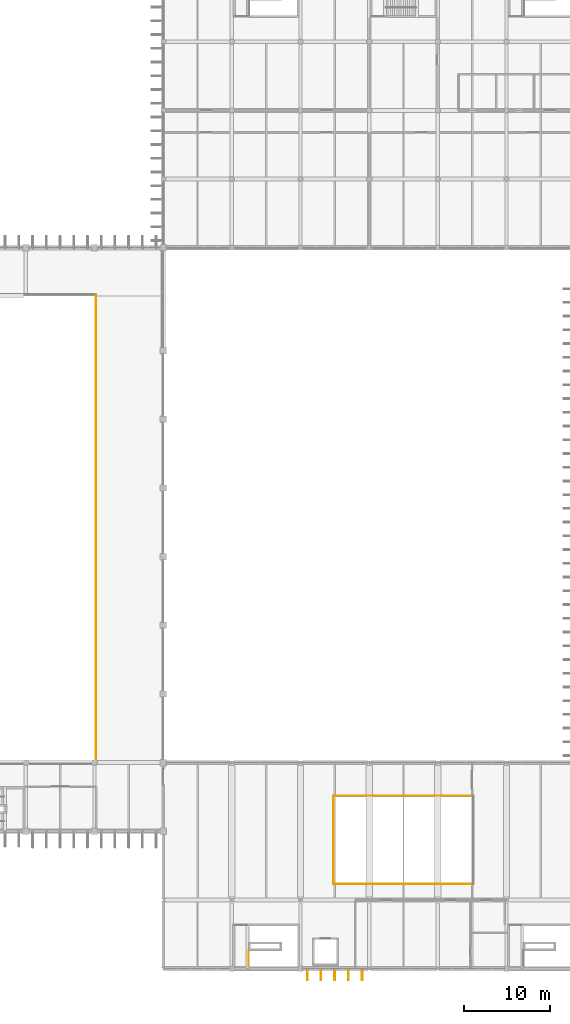
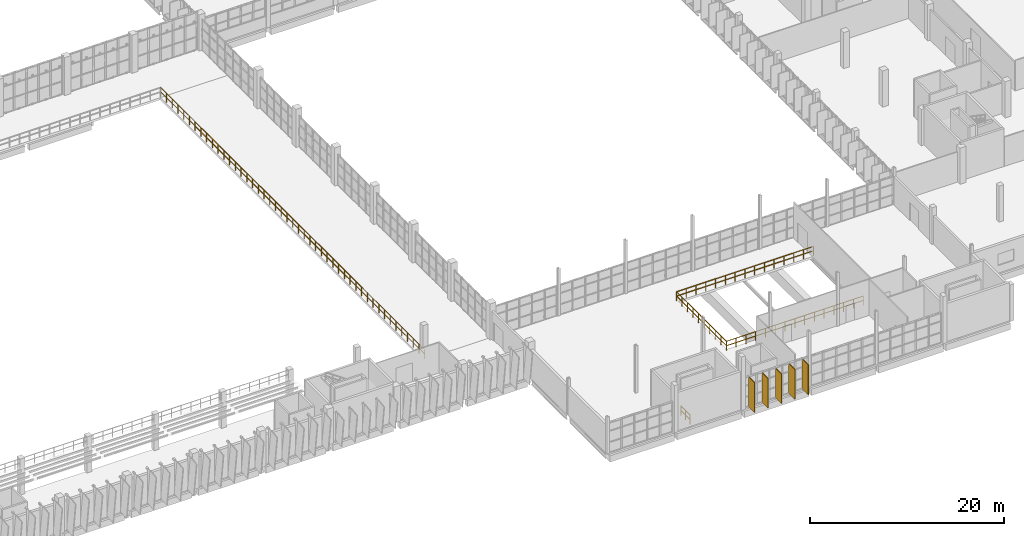
# One storey, part 88 of 93: 5 coverings, 5 railings, 5 shading devices.
"""IFC4 building model written with IfcOpenShell, lengths in metres."""

from ifc_helpers import new_model, si_unit, direction, frame, origin, origin_2d, place, context, subcontext, project, spatial, rectangle, circle, extrude, material, type_object, element, save


model = new_model("IFC4")

# Units and contexts
model_context = context("Model", 3, precision=1e-05, world=origin(), true_north=direction((0.0, 1.0)))
body_context = subcontext(model_context, "Body", "Model", "MODEL_VIEW")
ifc_project = project(units=[si_unit("LENGTHUNIT", "METRE"), si_unit("AREAUNIT", "SQUARE_METRE"), si_unit("VOLUMEUNIT", "CUBIC_METRE"), si_unit("PLANEANGLEUNIT", "RADIAN"), si_unit("MASSUNIT", "GRAM", prefix="KILO")], contexts=[model_context])

# Site, building, storey
site_placement = place(None, origin())
site = spatial("IfcSite", under=ifc_project, at=site_placement, CompositionType="ELEMENT")
building_placement = place(site_placement, origin())
building = spatial("IfcBuilding", under=site, at=building_placement, Name="Drelvana Railside Aquatics Centre", CompositionType="ELEMENT")
storey_placement = place(building_placement, frame((0.0, 0.0, 5.39990234375)))
storey = spatial("IfcBuildingStorey", under=building, at=storey_placement, Name="L01", CompositionType="ELEMENT", Elevation=5.39990234375)

# Coverings
ifc_material_1 = material(Name="Bronze-anodised extruded aluminium 6063-T6", Category="aluminium")
covering_type = type_object("IfcCoveringType", Name="COV-FIN-ALU", PredefinedType="CLADDING", material=ifc_material_1)
for number, where, z_axis, x_axis, name in (
    (1, (112.800048828125, -0.675048828125, 0.0), (0.0, 0.0, 1.0), (-1.0, 0.0, 0.0), "Vertical aluminium fin cladding CF-0461"),
    (2, (114.39990234375, -0.675048828125, 0.0), (0.0, 0.0, 1.0), (-1.0, 0.0, 0.0), "Vertical aluminium fin cladding CF-0462"),
    (3, (116.0, -0.675048828125, 0.0), (0.0, 0.0, 1.0), (-1.0, 0.0, 0.0), "Vertical aluminium fin cladding CF-0463"),
    (4, (117.60009765625, -0.675048828125, 0.0), (0.0, 0.0, 1.0), (-1.0, 0.0, 0.0), "Vertical aluminium fin cladding CF-0464"),
    (5, (119.199951171875, -0.675048828125, 0.0), (0.0, 0.0, 1.0), (-1.0, 0.0, 0.0), "Vertical aluminium fin cladding CF-0465"),
):
    element("IfcCovering", number, at=place(storey_placement, frame(where, z_axis=z_axis, x_axis=x_axis)), inside=storey, type_object=covering_type, Name=name, PredefinedType="CLADDING", context=body_context, shape_type="SweptSolid", body=[
        extrude(rectangle(XDim=0.0849609375, YDim=1.25, at=origin_2d()), origin(), (0.0, 0.0, 1.0), 3.75),
    ])

# Railings
ifc_material_2 = material(Name="Laminated glass and bronze-stainless gallery balustrade", Category="glass")
railing_type_1 = type_object("IfcRailingType", Name="RAL-GALLERY-1150", PredefinedType="BALUSTRADE", material=ifc_material_2)
railing_1_placement = place(storey_placement, frame((88.14990234375, 24.10009765625, 0.0)))
element("IfcRailing", 6, at=railing_1_placement, inside=storey, type_object=railing_type_1, Name="Gallery balustrade 2 (L01)", PredefinedType="BALUSTRADE", context=body_context, shape_type="SweptSolid", body=[
    extrude(circle(Radius=0.02392578125, at=origin_2d()), frame((0.0, 0.0, 1.1259765625), z_axis=(0.0, 1.0, 0.0), x_axis=(-1.0, 0.0, 0.0)), (0.0, 0.0, 1.0), 54.449951171875),
    extrude(circle(Radius=0.02392578125, at=origin_2d()), frame((0.0, 0.0, 0.574951171875), z_axis=(0.0, 1.0, 0.0), x_axis=(-1.0, 0.0, 0.0)), (0.0, 0.0, 1.0), 54.449951171875),
    extrude(circle(Radius=0.02099609375, at=origin_2d()), origin(), (0.0, 0.0, 1.0), 1.101806640625),
    extrude(circle(Radius=0.02099609375, at=origin_2d()), frame((0.0, 1.18359375, 0.0)), (0.0, 0.0, 1.0), 1.101806640625),
    extrude(circle(Radius=0.02099609375, at=origin_2d()), frame((0.0, 2.367431640625, 0.0)), (0.0, 0.0, 1.0), 1.101806640625),
    extrude(circle(Radius=0.02099609375, at=origin_2d()), frame((0.0, 3.551025390625, 0.0)), (0.0, 0.0, 1.0), 1.101806640625),
    extrude(circle(Radius=0.02099609375, at=origin_2d()), frame((0.0, 4.73486328125, 0.0)), (0.0, 0.0, 1.0), 1.101806640625),
    extrude(circle(Radius=0.02099609375, at=origin_2d()), frame((0.0, 5.91845703125, 0.0)), (0.0, 0.0, 1.0), 1.101806640625),
    extrude(circle(Radius=0.02099609375, at=origin_2d()), frame((0.0, 7.10205078125, 0.0)), (0.0, 0.0, 1.0), 1.101806640625),
    extrude(circle(Radius=0.02099609375, at=origin_2d()), frame((0.0, 8.285888671875, 0.0)), (0.0, 0.0, 1.0), 1.101806640625),
    extrude(circle(Radius=0.02099609375, at=origin_2d()), frame((0.0, 9.469482421875, 0.0)), (0.0, 0.0, 1.0), 1.101806640625),
    extrude(circle(Radius=0.02099609375, at=origin_2d()), frame((0.0, 10.6533203125, 0.0)), (0.0, 0.0, 1.0), 1.101806640625),
    extrude(circle(Radius=0.02099609375, at=origin_2d()), frame((0.0, 11.8369140625, 0.0)), (0.0, 0.0, 1.0), 1.101806640625),
    extrude(circle(Radius=0.02099609375, at=origin_2d()), frame((0.0, 13.020751953125, 0.0)), (0.0, 0.0, 1.0), 1.101806640625),
    extrude(circle(Radius=0.02099609375, at=origin_2d()), frame((0.0, 14.204345703125, 0.0)), (0.0, 0.0, 1.0), 1.101806640625),
    extrude(circle(Radius=0.02099609375, at=origin_2d()), frame((0.0, 15.387939453125, 0.0)), (0.0, 0.0, 1.0), 1.101806640625),
    extrude(circle(Radius=0.02099609375, at=origin_2d()), frame((0.0, 16.57177734375, 0.0)), (0.0, 0.0, 1.0), 1.101806640625),
    extrude(circle(Radius=0.02099609375, at=origin_2d()), frame((0.0, 17.75537109375, 0.0)), (0.0, 0.0, 1.0), 1.101806640625),
    extrude(circle(Radius=0.02099609375, at=origin_2d()), frame((0.0, 18.939208984375, 0.0)), (0.0, 0.0, 1.0), 1.101806640625),
    extrude(circle(Radius=0.02099609375, at=origin_2d()), frame((0.0, 20.122802734375, 0.0)), (0.0, 0.0, 1.0), 1.101806640625),
    extrude(circle(Radius=0.02099609375, at=origin_2d()), frame((0.0, 21.306396484375, 0.0)), (0.0, 0.0, 1.0), 1.101806640625),
    extrude(circle(Radius=0.02099609375, at=origin_2d()), frame((0.0, 22.490234375, 0.0)), (0.0, 0.0, 1.0), 1.101806640625),
    extrude(circle(Radius=0.02099609375, at=origin_2d()), frame((0.0, 23.673828125, 0.0)), (0.0, 0.0, 1.0), 1.101806640625),
    extrude(circle(Radius=0.02099609375, at=origin_2d()), frame((0.0, 24.857666015625, 0.0)), (0.0, 0.0, 1.0), 1.101806640625),
    extrude(circle(Radius=0.02099609375, at=origin_2d()), frame((0.0, 26.041259765625, 0.0)), (0.0, 0.0, 1.0), 1.101806640625),
    extrude(circle(Radius=0.02099609375, at=origin_2d()), frame((0.0, 27.22509765625, 0.0)), (0.0, 0.0, 1.0), 1.101806640625),
    extrude(circle(Radius=0.02099609375, at=origin_2d()), frame((0.0, 28.40869140625, 0.0)), (0.0, 0.0, 1.0), 1.101806640625),
    extrude(circle(Radius=0.02099609375, at=origin_2d()), frame((0.0, 29.59228515625, 0.0)), (0.0, 0.0, 1.0), 1.101806640625),
    extrude(circle(Radius=0.02099609375, at=origin_2d()), frame((0.0, 30.776123046875, 0.0)), (0.0, 0.0, 1.0), 1.101806640625),
    extrude(circle(Radius=0.02099609375, at=origin_2d()), frame((0.0, 31.959716796875, 0.0)), (0.0, 0.0, 1.0), 1.101806640625),
    extrude(circle(Radius=0.02099609375, at=origin_2d()), frame((0.0, 33.1435546875, 0.0)), (0.0, 0.0, 1.0), 1.101806640625),
    extrude(circle(Radius=0.02099609375, at=origin_2d()), frame((0.0, 34.3271484375, 0.0)), (0.0, 0.0, 1.0), 1.101806640625),
    extrude(circle(Radius=0.02099609375, at=origin_2d()), frame((0.0, 35.5107421875, 0.0)), (0.0, 0.0, 1.0), 1.101806640625),
    extrude(circle(Radius=0.02099609375, at=origin_2d()), frame((0.0, 36.694580078125, 0.0)), (0.0, 0.0, 1.0), 1.101806640625),
    extrude(circle(Radius=0.02099609375, at=origin_2d()), frame((0.0, 37.878173828125, 0.0)), (0.0, 0.0, 1.0), 1.101806640625),
    extrude(circle(Radius=0.02099609375, at=origin_2d()), frame((0.0, 39.06201171875, 0.0)), (0.0, 0.0, 1.0), 1.101806640625),
    extrude(circle(Radius=0.02099609375, at=origin_2d()), frame((0.0, 40.24560546875, 0.0)), (0.0, 0.0, 1.0), 1.101806640625),
    extrude(circle(Radius=0.02099609375, at=origin_2d()), frame((0.0, 41.42919921875, 0.0)), (0.0, 0.0, 1.0), 1.101806640625),
    extrude(circle(Radius=0.02099609375, at=origin_2d()), frame((0.0, 42.613037109375, 0.0)), (0.0, 0.0, 1.0), 1.101806640625),
    extrude(circle(Radius=0.02099609375, at=origin_2d()), frame((0.0, 43.796630859375, 0.0)), (0.0, 0.0, 1.0), 1.101806640625),
    extrude(circle(Radius=0.02099609375, at=origin_2d()), frame((0.0, 44.98046875, 0.0)), (0.0, 0.0, 1.0), 1.101806640625),
    extrude(circle(Radius=0.02099609375, at=origin_2d()), frame((0.0, 46.1640625, 0.0)), (0.0, 0.0, 1.0), 1.101806640625),
    extrude(circle(Radius=0.02099609375, at=origin_2d()), frame((0.0, 47.347900390625, 0.0)), (0.0, 0.0, 1.0), 1.101806640625),
    extrude(circle(Radius=0.02099609375, at=origin_2d()), frame((0.0, 48.531494140625, 0.0)), (0.0, 0.0, 1.0), 1.101806640625),
    extrude(circle(Radius=0.02099609375, at=origin_2d()), frame((0.0, 49.715087890625, 0.0)), (0.0, 0.0, 1.0), 1.101806640625),
    extrude(circle(Radius=0.02099609375, at=origin_2d()), frame((0.0, 50.89892578125, 0.0)), (0.0, 0.0, 1.0), 1.101806640625),
    extrude(circle(Radius=0.02099609375, at=origin_2d()), frame((0.0, 52.08251953125, 0.0)), (0.0, 0.0, 1.0), 1.101806640625),
    extrude(circle(Radius=0.02099609375, at=origin_2d()), frame((0.0, 53.266357421875, 0.0)), (0.0, 0.0, 1.0), 1.101806640625),
    extrude(circle(Radius=0.02099609375, at=origin_2d()), frame((0.0, 54.449951171875, 0.0)), (0.0, 0.0, 1.0), 1.101806640625),
])
railing_2_placement = place(storey_placement, frame((115.85009765625, 9.85009765625, 0.0)))
element("IfcRailing", 7, at=railing_2_placement, inside=storey, type_object=railing_type_1, Name="Gallery balustrade 11 (L01)", PredefinedType="BALUSTRADE", context=body_context, shape_type="SweptSolid", body=[
    extrude(circle(Radius=0.02392578125, at=origin_2d()), frame((0.0, 0.0, 1.1259765625), z_axis=(1.0, 0.0, 0.0), x_axis=(0.0, 1.0, 0.0)), (0.0, 0.0, 1.0), 16.2998046875),
    extrude(circle(Radius=0.02392578125, at=origin_2d()), frame((0.0, 0.0, 0.574951171875), z_axis=(1.0, 0.0, 0.0), x_axis=(0.0, 1.0, 0.0)), (0.0, 0.0, 1.0), 16.2998046875),
    extrude(circle(Radius=0.02099609375, at=origin_2d()), origin(), (0.0, 0.0, 1.0), 1.101806640625),
    extrude(circle(Radius=0.02099609375, at=origin_2d()), frame((1.164306640625, 0.0, 0.0)), (0.0, 0.0, 1.0), 1.101806640625),
    extrude(circle(Radius=0.02099609375, at=origin_2d()), frame((2.32861328125, 0.0, 0.0)), (0.0, 0.0, 1.0), 1.101806640625),
    extrude(circle(Radius=0.02099609375, at=origin_2d()), frame((3.492919921875, 0.0, 0.0)), (0.0, 0.0, 1.0), 1.101806640625),
    extrude(circle(Radius=0.02099609375, at=origin_2d()), frame((4.656982421875, 0.0, 0.0)), (0.0, 0.0, 1.0), 1.101806640625),
    extrude(circle(Radius=0.02099609375, at=origin_2d()), frame((5.8212890625, 0.0, 0.0)), (0.0, 0.0, 1.0), 1.101806640625),
    extrude(circle(Radius=0.02099609375, at=origin_2d()), frame((6.985595703125, 0.0, 0.0)), (0.0, 0.0, 1.0), 1.101806640625),
    extrude(circle(Radius=0.02099609375, at=origin_2d()), frame((8.14990234375, 0.0, 0.0)), (0.0, 0.0, 1.0), 1.101806640625),
    extrude(circle(Radius=0.02099609375, at=origin_2d()), frame((9.314208984375, 0.0, 0.0)), (0.0, 0.0, 1.0), 1.101806640625),
    extrude(circle(Radius=0.02099609375, at=origin_2d()), frame((10.478515625, 0.0, 0.0)), (0.0, 0.0, 1.0), 1.101806640625),
    extrude(circle(Radius=0.02099609375, at=origin_2d()), frame((11.642822265625, 0.0, 0.0)), (0.0, 0.0, 1.0), 1.101806640625),
    extrude(circle(Radius=0.02099609375, at=origin_2d()), frame((12.806884765625, 0.0, 0.0)), (0.0, 0.0, 1.0), 1.101806640625),
    extrude(circle(Radius=0.02099609375, at=origin_2d()), frame((13.97119140625, 0.0, 0.0)), (0.0, 0.0, 1.0), 1.101806640625),
    extrude(circle(Radius=0.02099609375, at=origin_2d()), frame((15.135498046875, 0.0, 0.0)), (0.0, 0.0, 1.0), 1.101806640625),
    extrude(circle(Radius=0.02099609375, at=origin_2d()), frame((16.2998046875, 0.0, 0.0)), (0.0, 0.0, 1.0), 1.101806640625),
])
railing_3_placement = place(storey_placement, frame((115.85009765625, 20.14990234375, 0.0)))
element("IfcRailing", 8, at=railing_3_placement, inside=storey, type_object=railing_type_1, Name="Gallery balustrade 12 (L01)", PredefinedType="BALUSTRADE", context=body_context, shape_type="SweptSolid", body=[
    extrude(circle(Radius=0.02392578125, at=origin_2d()), frame((0.0, 0.0, 1.1259765625), z_axis=(1.0, 0.0, 0.0), x_axis=(0.0, 1.0, 0.0)), (0.0, 0.0, 1.0), 16.2998046875),
    extrude(circle(Radius=0.02392578125, at=origin_2d()), frame((0.0, 0.0, 0.574951171875), z_axis=(1.0, 0.0, 0.0), x_axis=(0.0, 1.0, 0.0)), (0.0, 0.0, 1.0), 16.2998046875),
    extrude(circle(Radius=0.02099609375, at=origin_2d()), origin(), (0.0, 0.0, 1.0), 1.101806640625),
    extrude(circle(Radius=0.02099609375, at=origin_2d()), frame((1.164306640625, 0.0, 0.0)), (0.0, 0.0, 1.0), 1.101806640625),
    extrude(circle(Radius=0.02099609375, at=origin_2d()), frame((2.32861328125, 0.0, 0.0)), (0.0, 0.0, 1.0), 1.101806640625),
    extrude(circle(Radius=0.02099609375, at=origin_2d()), frame((3.492919921875, 0.0, 0.0)), (0.0, 0.0, 1.0), 1.101806640625),
    extrude(circle(Radius=0.02099609375, at=origin_2d()), frame((4.656982421875, 0.0, 0.0)), (0.0, 0.0, 1.0), 1.101806640625),
    extrude(circle(Radius=0.02099609375, at=origin_2d()), frame((5.8212890625, 0.0, 0.0)), (0.0, 0.0, 1.0), 1.101806640625),
    extrude(circle(Radius=0.02099609375, at=origin_2d()), frame((6.985595703125, 0.0, 0.0)), (0.0, 0.0, 1.0), 1.101806640625),
    extrude(circle(Radius=0.02099609375, at=origin_2d()), frame((8.14990234375, 0.0, 0.0)), (0.0, 0.0, 1.0), 1.101806640625),
    extrude(circle(Radius=0.02099609375, at=origin_2d()), frame((9.314208984375, 0.0, 0.0)), (0.0, 0.0, 1.0), 1.101806640625),
    extrude(circle(Radius=0.02099609375, at=origin_2d()), frame((10.478515625, 0.0, 0.0)), (0.0, 0.0, 1.0), 1.101806640625),
    extrude(circle(Radius=0.02099609375, at=origin_2d()), frame((11.642822265625, 0.0, 0.0)), (0.0, 0.0, 1.0), 1.101806640625),
    extrude(circle(Radius=0.02099609375, at=origin_2d()), frame((12.806884765625, 0.0, 0.0)), (0.0, 0.0, 1.0), 1.101806640625),
    extrude(circle(Radius=0.02099609375, at=origin_2d()), frame((13.97119140625, 0.0, 0.0)), (0.0, 0.0, 1.0), 1.101806640625),
    extrude(circle(Radius=0.02099609375, at=origin_2d()), frame((15.135498046875, 0.0, 0.0)), (0.0, 0.0, 1.0), 1.101806640625),
    extrude(circle(Radius=0.02099609375, at=origin_2d()), frame((16.2998046875, 0.0, 0.0)), (0.0, 0.0, 1.0), 1.101806640625),
])
railing_4_placement = place(storey_placement, frame((115.85009765625, 9.85009765625, 0.0)))
element("IfcRailing", 9, at=railing_4_placement, inside=storey, type_object=railing_type_1, Name="Gallery balustrade 13 (L01)", PredefinedType="BALUSTRADE", context=body_context, shape_type="SweptSolid", body=[
    extrude(circle(Radius=0.02392578125, at=origin_2d()), frame((0.0, 0.0, 1.1259765625), z_axis=(0.0, 1.0, 0.0), x_axis=(-1.0, 0.0, 0.0)), (0.0, 0.0, 1.0), 10.2998046875),
    extrude(circle(Radius=0.02392578125, at=origin_2d()), frame((0.0, 0.0, 0.574951171875), z_axis=(0.0, 1.0, 0.0), x_axis=(-1.0, 0.0, 0.0)), (0.0, 0.0, 1.0), 10.2998046875),
    extrude(circle(Radius=0.02099609375, at=origin_2d()), origin(), (0.0, 0.0, 1.0), 1.101806640625),
    extrude(circle(Radius=0.02099609375, at=origin_2d()), frame((0.0, 1.14453125, 0.0)), (0.0, 0.0, 1.0), 1.101806640625),
    extrude(circle(Radius=0.02099609375, at=origin_2d()), frame((0.0, 2.288818359375, 0.0)), (0.0, 0.0, 1.0), 1.101806640625),
    extrude(circle(Radius=0.02099609375, at=origin_2d()), frame((0.0, 3.433349609375, 0.0)), (0.0, 0.0, 1.0), 1.101806640625),
    extrude(circle(Radius=0.02099609375, at=origin_2d()), frame((0.0, 4.57763671875, 0.0)), (0.0, 0.0, 1.0), 1.101806640625),
    extrude(circle(Radius=0.02099609375, at=origin_2d()), frame((0.0, 5.72216796875, 0.0)), (0.0, 0.0, 1.0), 1.101806640625),
    extrude(circle(Radius=0.02099609375, at=origin_2d()), frame((0.0, 6.866455078125, 0.0)), (0.0, 0.0, 1.0), 1.101806640625),
    extrude(circle(Radius=0.02099609375, at=origin_2d()), frame((0.0, 8.010986328125, 0.0)), (0.0, 0.0, 1.0), 1.101806640625),
    extrude(circle(Radius=0.02099609375, at=origin_2d()), frame((0.0, 9.1552734375, 0.0)), (0.0, 0.0, 1.0), 1.101806640625),
    extrude(circle(Radius=0.02099609375, at=origin_2d()), frame((0.0, 10.2998046875, 0.0)), (0.0, 0.0, 1.0), 1.101806640625),
])
ifc_material_3 = material(Name="Brushed stainless steel stairwell guard", Category="steel")
railing_type_2 = type_object("IfcRailingType", Name="RAL-STAIR-1150", PredefinedType="GUARDRAIL", material=ifc_material_3)
railing_5_placement = place(storey_placement, frame((105.969970703125, 0.25, 0.0)))
element("IfcRailing", 10, at=railing_5_placement, inside=storey, type_object=railing_type_2, Name="Stair ST-04 top landing guard", PredefinedType="GUARDRAIL", context=body_context, shape_type="SweptSolid", body=[
    extrude(circle(Radius=0.02392578125, at=origin_2d()), frame((0.0, 0.0, 1.1259765625), z_axis=(0.0, 1.0, 0.0), x_axis=(-1.0, 0.0, 0.0)), (0.0, 0.0, 1.0), 1.85009765625),
    extrude(circle(Radius=0.02392578125, at=origin_2d()), frame((0.0, 0.0, 0.574951171875), z_axis=(0.0, 1.0, 0.0), x_axis=(-1.0, 0.0, 0.0)), (0.0, 0.0, 1.0), 1.85009765625),
    extrude(circle(Radius=0.02099609375, at=origin_2d()), origin(), (0.0, 0.0, 1.0), 1.101806640625),
    extrude(circle(Radius=0.02099609375, at=origin_2d()), frame((0.0, 0.925048828125, 0.0)), (0.0, 0.0, 1.0), 1.101806640625),
    extrude(circle(Radius=0.02099609375, at=origin_2d()), frame((0.0, 1.85009765625, 0.0)), (0.0, 0.0, 1.0), 1.101806640625),
])

# Shading devices
shading_device_type = type_object("IfcShadingDeviceType", Name="SHD-FIN-1250", PredefinedType="USERDEFINED", material=ifc_material_1)
for number, where, z_axis, x_axis, name in (
    (11, (112.800048828125, -0.695068359375, 0.0), (0.0, 0.0, 1.0), (0.0, -1.0, 0.0), "Vertical bronze shading fin FN-0468"),
    (12, (114.39990234375, -0.695068359375, 0.0), (0.0, 0.0, 1.0), (0.0, -1.0, 0.0), "Vertical bronze shading fin FN-0469"),
    (13, (116.0, -0.695068359375, 0.0), (0.0, 0.0, 1.0), (0.0, -1.0, 0.0), "Vertical bronze shading fin FN-0470"),
    (14, (117.60009765625, -0.695068359375, 0.0), (0.0, 0.0, 1.0), (0.0, -1.0, 0.0), "Vertical bronze shading fin FN-0471"),
    (15, (119.199951171875, -0.695068359375, 0.0), (0.0, 0.0, 1.0), (0.0, -1.0, 0.0), "Vertical bronze shading fin FN-0472"),
):
    element("IfcShadingDevice", number, at=place(storey_placement, frame(where, z_axis=z_axis, x_axis=x_axis)), inside=storey, type_object=shading_device_type, Name=name, ObjectType="FIN", PredefinedType="USERDEFINED", context=body_context, shape_type="SweptSolid", body=[
        extrude(rectangle(XDim=1.25, YDim=0.06494140625, at=origin_2d()), origin(), (0.0, 0.0, 1.0), 3.75),
    ])

save(model, "model.ifc")
